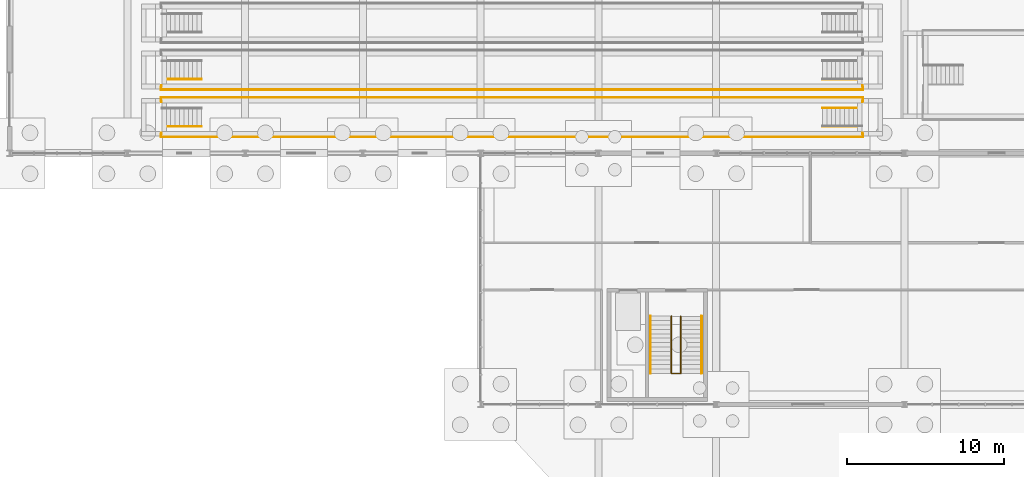
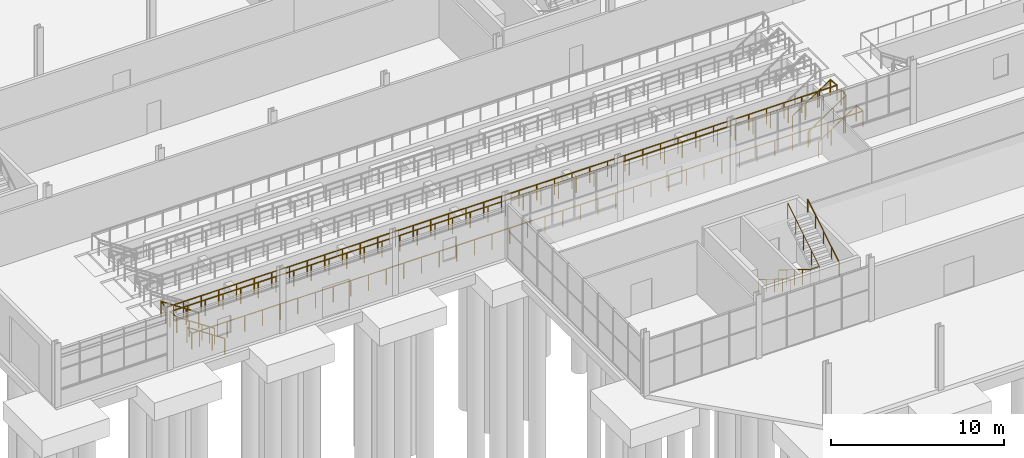
# One storey, part 131 of 136: 6 railings.
"""IFC4 building model written with IfcOpenShell, lengths in metres."""

from ifc_helpers import new_model, si_unit, direction, frame, origin, origin_2d, place, context, subcontext, project, spatial, circle, extrude, material, type_object, element, save


model = new_model("IFC4")

# Units and contexts
model_context = context("Model", 3, precision=1e-05, world=origin(), true_north=direction((0.0, 1.0)))
body_context = subcontext(model_context, "Body", "Model", "MODEL_VIEW")
ifc_project = project(units=[si_unit("LENGTHUNIT", "METRE"), si_unit("AREAUNIT", "SQUARE_METRE"), si_unit("VOLUMEUNIT", "CUBIC_METRE"), si_unit("PLANEANGLEUNIT", "RADIAN"), si_unit("MASSUNIT", "GRAM", prefix="KILO")], contexts=[model_context])

# Site, building, storey
site_placement = place(None, origin())
site = spatial("IfcSite", under=ifc_project, at=site_placement, CompositionType="ELEMENT")
building_placement = place(site_placement, origin())
building = spatial("IfcBuilding", under=site, at=building_placement, Name="Solvenia Promenade Tram Depot", CompositionType="ELEMENT")
storey_placement = place(building_placement, origin())
storey = spatial("IfcBuildingStorey", under=building, at=storey_placement, Name="L00", CompositionType="ELEMENT", Elevation=0.0)

# Railings
ifc_material_1 = material(Name="Galvanized painted sheet steel", Category="steel")
railing_type_1 = type_object("IfcRailingType", Name="Guard-Pit-1100", PredefinedType="GUARDRAIL", material=ifc_material_1)
railing_1_placement = place(storey_placement, frame((117.219970703125, 25.7099609375, -1.675048828125)))
element("IfcRailing", 1, at=railing_1_placement, inside=storey, type_object=railing_type_1, Name="Inspection Pit Bay 1 South Perimeter and Flight Safety Guard", PredefinedType="GUARDRAIL", context=body_context, shape_type="SweptSolid", body=[
    extrude(circle(Radius=0.02392578125, at=origin_2d()), frame((0.0, 0.0, 1.09619140625), z_axis=(-0.832806695154, 0.0, 0.553563915467), x_axis=(0.0, -1.0, 0.0)), (0.0, 0.0, 1.0), 3.02587890625),
    extrude(circle(Radius=0.02392578125, at=origin_2d()), frame((-2.52001953125, 0.0, 2.77099609375), z_axis=(-0.089292037188, -0.996005487984, 0.0), x_axis=(0.996005487984, -0.089292037188, 0.0)), (0.0, 0.0, 1.0), 0.672607421875),
    extrude(circle(Radius=0.02392578125, at=origin_2d()), frame((-2.580078125, -0.669921875, 2.77099609375), z_axis=(1.0, 0.0, 0.0), x_axis=(0.0, 1.0, 0.0)), (0.0, 0.0, 1.0), 44.72021484375),
    extrude(circle(Radius=0.02392578125, at=origin_2d()), frame((42.14013671875, -0.669921875, 2.77099609375), z_axis=(-0.089292037188, 0.996005487984, 0.0), x_axis=(-0.996005487984, -0.089292037188, 0.0)), (0.0, 0.0, 1.0), 0.672607421875),
    extrude(circle(Radius=0.02392578125, at=origin_2d()), frame((42.080078125, 0.0, 2.77099609375), z_axis=(-0.832806695154, 0.0, -0.553563915467), x_axis=(0.0, -1.0, 0.0)), (0.0, 0.0, 1.0), 3.02587890625),
    extrude(circle(Radius=0.02099609375, at=origin_2d()), origin(), (0.0, 0.0, 1.0), 1.072021484375),
    extrude(circle(Radius=0.02099609375, at=origin_2d()), frame((-0.840087890625, 0.0, 0.558349609375)), (0.0, 0.0, 1.0), 1.072021484375),
    extrude(circle(Radius=0.02099609375, at=origin_2d()), frame((-1.679931640625, 0.0, 1.11669921875)), (0.0, 0.0, 1.0), 1.072021484375),
    extrude(circle(Radius=0.02099609375, at=origin_2d()), frame((-2.52001953125, 0.0, 1.675048828125)), (0.0, 0.0, 1.0), 1.072021484375),
    extrude(circle(Radius=0.02099609375, at=origin_2d()), frame((-2.580078125, -0.669921875, 1.675048828125)), (0.0, 0.0, 1.0), 1.072021484375),
    extrude(circle(Radius=0.02099609375, at=origin_2d()), frame((-1.4033203125, -0.669921875, 1.675048828125)), (0.0, 0.0, 1.0), 1.072021484375),
    extrude(circle(Radius=0.02099609375, at=origin_2d()), frame((-0.226318359375, -0.669921875, 1.675048828125)), (0.0, 0.0, 1.0), 1.072021484375),
    extrude(circle(Radius=0.02099609375, at=origin_2d()), frame((0.950439453125, -0.669921875, 1.675048828125)), (0.0, 0.0, 1.0), 1.072021484375),
    extrude(circle(Radius=0.02099609375, at=origin_2d()), frame((2.127197265625, -0.669921875, 1.675048828125)), (0.0, 0.0, 1.0), 1.072021484375),
    extrude(circle(Radius=0.02099609375, at=origin_2d()), frame((3.30419921875, -0.669921875, 1.675048828125)), (0.0, 0.0, 1.0), 1.072021484375),
    extrude(circle(Radius=0.02099609375, at=origin_2d()), frame((4.48095703125, -0.669921875, 1.675048828125)), (0.0, 0.0, 1.0), 1.072021484375),
    extrude(circle(Radius=0.02099609375, at=origin_2d()), frame((5.657958984375, -0.669921875, 1.675048828125)), (0.0, 0.0, 1.0), 1.072021484375),
    extrude(circle(Radius=0.02099609375, at=origin_2d()), frame((6.834716796875, -0.669921875, 1.675048828125)), (0.0, 0.0, 1.0), 1.072021484375),
    extrude(circle(Radius=0.02099609375, at=origin_2d()), frame((8.011474609375, -0.669921875, 1.675048828125)), (0.0, 0.0, 1.0), 1.072021484375),
    extrude(circle(Radius=0.02099609375, at=origin_2d()), frame((9.1884765625, -0.669921875, 1.675048828125)), (0.0, 0.0, 1.0), 1.072021484375),
    extrude(circle(Radius=0.02099609375, at=origin_2d()), frame((10.365234375, -0.669921875, 1.675048828125)), (0.0, 0.0, 1.0), 1.072021484375),
    extrude(circle(Radius=0.02099609375, at=origin_2d()), frame((11.5419921875, -0.669921875, 1.675048828125)), (0.0, 0.0, 1.0), 1.072021484375),
    extrude(circle(Radius=0.02099609375, at=origin_2d()), frame((12.718994140625, -0.669921875, 1.675048828125)), (0.0, 0.0, 1.0), 1.072021484375),
    extrude(circle(Radius=0.02099609375, at=origin_2d()), frame((13.895751953125, -0.669921875, 1.675048828125)), (0.0, 0.0, 1.0), 1.072021484375),
    extrude(circle(Radius=0.02099609375, at=origin_2d()), frame((15.07275390625, -0.669921875, 1.675048828125)), (0.0, 0.0, 1.0), 1.072021484375),
    extrude(circle(Radius=0.02099609375, at=origin_2d()), frame((16.24951171875, -0.669921875, 1.675048828125)), (0.0, 0.0, 1.0), 1.072021484375),
    extrude(circle(Radius=0.02099609375, at=origin_2d()), frame((17.42626953125, -0.669921875, 1.675048828125)), (0.0, 0.0, 1.0), 1.072021484375),
    extrude(circle(Radius=0.02099609375, at=origin_2d()), frame((18.603271484375, -0.669921875, 1.675048828125)), (0.0, 0.0, 1.0), 1.072021484375),
    extrude(circle(Radius=0.02099609375, at=origin_2d()), frame((19.780029296875, -0.669921875, 1.675048828125)), (0.0, 0.0, 1.0), 1.072021484375),
    extrude(circle(Radius=0.02099609375, at=origin_2d()), frame((20.956787109375, -0.669921875, 1.675048828125)), (0.0, 0.0, 1.0), 1.072021484375),
    extrude(circle(Radius=0.02099609375, at=origin_2d()), frame((22.1337890625, -0.669921875, 1.675048828125)), (0.0, 0.0, 1.0), 1.072021484375),
    extrude(circle(Radius=0.02099609375, at=origin_2d()), frame((23.310546875, -0.669921875, 1.675048828125)), (0.0, 0.0, 1.0), 1.072021484375),
    extrude(circle(Radius=0.02099609375, at=origin_2d()), frame((24.4873046875, -0.669921875, 1.675048828125)), (0.0, 0.0, 1.0), 1.072021484375),
    extrude(circle(Radius=0.02099609375, at=origin_2d()), frame((25.664306640625, -0.669921875, 1.675048828125)), (0.0, 0.0, 1.0), 1.072021484375),
    extrude(circle(Radius=0.02099609375, at=origin_2d()), frame((26.841064453125, -0.669921875, 1.675048828125)), (0.0, 0.0, 1.0), 1.072021484375),
    extrude(circle(Radius=0.02099609375, at=origin_2d()), frame((28.01806640625, -0.669921875, 1.675048828125)), (0.0, 0.0, 1.0), 1.072021484375),
    extrude(circle(Radius=0.02099609375, at=origin_2d()), frame((29.19482421875, -0.669921875, 1.675048828125)), (0.0, 0.0, 1.0), 1.072021484375),
    extrude(circle(Radius=0.02099609375, at=origin_2d()), frame((30.37158203125, -0.669921875, 1.675048828125)), (0.0, 0.0, 1.0), 1.072021484375),
    extrude(circle(Radius=0.02099609375, at=origin_2d()), frame((31.548583984375, -0.669921875, 1.675048828125)), (0.0, 0.0, 1.0), 1.072021484375),
    extrude(circle(Radius=0.02099609375, at=origin_2d()), frame((32.725341796875, -0.669921875, 1.675048828125)), (0.0, 0.0, 1.0), 1.072021484375),
    extrude(circle(Radius=0.02099609375, at=origin_2d()), frame((33.902099609375, -0.669921875, 1.675048828125)), (0.0, 0.0, 1.0), 1.072021484375),
    extrude(circle(Radius=0.02099609375, at=origin_2d()), frame((35.0791015625, -0.669921875, 1.675048828125)), (0.0, 0.0, 1.0), 1.072021484375),
    extrude(circle(Radius=0.02099609375, at=origin_2d()), frame((36.255859375, -0.669921875, 1.675048828125)), (0.0, 0.0, 1.0), 1.072021484375),
    extrude(circle(Radius=0.02099609375, at=origin_2d()), frame((37.432861328125, -0.669921875, 1.675048828125)), (0.0, 0.0, 1.0), 1.072021484375),
    extrude(circle(Radius=0.02099609375, at=origin_2d()), frame((38.609619140625, -0.669921875, 1.675048828125)), (0.0, 0.0, 1.0), 1.072021484375),
    extrude(circle(Radius=0.02099609375, at=origin_2d()), frame((39.786376953125, -0.669921875, 1.675048828125)), (0.0, 0.0, 1.0), 1.072021484375),
    extrude(circle(Radius=0.02099609375, at=origin_2d()), frame((40.96337890625, -0.669921875, 1.675048828125)), (0.0, 0.0, 1.0), 1.072021484375),
    extrude(circle(Radius=0.02099609375, at=origin_2d()), frame((42.14013671875, -0.669921875, 1.675048828125)), (0.0, 0.0, 1.0), 1.072021484375),
    extrude(circle(Radius=0.02099609375, at=origin_2d()), frame((42.080078125, 0.0, 1.675048828125)), (0.0, 0.0, 1.0), 1.072021484375),
    extrude(circle(Radius=0.02099609375, at=origin_2d()), frame((41.239990234375, 0.0, 1.11669921875)), (0.0, 0.0, 1.0), 1.072021484375),
    extrude(circle(Radius=0.02099609375, at=origin_2d()), frame((40.400146484375, 0.0, 0.558349609375)), (0.0, 0.0, 1.0), 1.072021484375),
    extrude(circle(Radius=0.02099609375, at=origin_2d()), frame((39.56005859375, 0.0, 0.0)), (0.0, 0.0, 1.0), 1.072021484375),
])
railing_2_placement = place(storey_placement, frame((117.219970703125, 26.889892578125, -1.675048828125)))
element("IfcRailing", 2, at=railing_2_placement, inside=storey, type_object=railing_type_1, Name="Inspection Pit Bay 1 North Perimeter and Flight Safety Guard", PredefinedType="GUARDRAIL", context=body_context, shape_type="SweptSolid", body=[
    extrude(circle(Radius=0.02392578125, at=origin_2d()), frame((0.0, 0.0, 1.09619140625), z_axis=(-0.832806695154, 0.0, 0.553563915467), x_axis=(0.0, -1.0, 0.0)), (0.0, 0.0, 1.0), 3.02587890625),
    extrude(circle(Radius=0.02392578125, at=origin_2d()), frame((-2.52001953125, 0.0, 2.77099609375), z_axis=(-0.089259767428, 0.996008380446, 0.0), x_axis=(-0.996008380446, -0.089259767428, 0.0)), (0.0, 0.0, 1.0), 0.6728515625),
    extrude(circle(Radius=0.02392578125, at=origin_2d()), frame((-2.580078125, 0.670166015625, 2.77099609375), z_axis=(1.0, 0.0, 0.0), x_axis=(0.0, 1.0, 0.0)), (0.0, 0.0, 1.0), 44.72021484375),
    extrude(circle(Radius=0.02392578125, at=origin_2d()), frame((42.14013671875, 0.670166015625, 2.77099609375), z_axis=(-0.089259767428, -0.996008380446, 0.0), x_axis=(0.996008380446, -0.089259767428, 0.0)), (0.0, 0.0, 1.0), 0.6728515625),
    extrude(circle(Radius=0.02392578125, at=origin_2d()), frame((42.080078125, 0.0, 2.77099609375), z_axis=(-0.832806695154, 0.0, -0.553563915467), x_axis=(0.0, -1.0, 0.0)), (0.0, 0.0, 1.0), 3.02587890625),
    extrude(circle(Radius=0.02099609375, at=origin_2d()), origin(), (0.0, 0.0, 1.0), 1.072021484375),
    extrude(circle(Radius=0.02099609375, at=origin_2d()), frame((-0.840087890625, 0.0, 0.558349609375)), (0.0, 0.0, 1.0), 1.072021484375),
    extrude(circle(Radius=0.02099609375, at=origin_2d()), frame((-1.679931640625, 0.0, 1.11669921875)), (0.0, 0.0, 1.0), 1.072021484375),
    extrude(circle(Radius=0.02099609375, at=origin_2d()), frame((-2.52001953125, 0.0, 1.675048828125)), (0.0, 0.0, 1.0), 1.072021484375),
    extrude(circle(Radius=0.02099609375, at=origin_2d()), frame((-2.580078125, 0.670166015625, 1.675048828125)), (0.0, 0.0, 1.0), 1.072021484375),
    extrude(circle(Radius=0.02099609375, at=origin_2d()), frame((-1.4033203125, 0.670166015625, 1.675048828125)), (0.0, 0.0, 1.0), 1.072021484375),
    extrude(circle(Radius=0.02099609375, at=origin_2d()), frame((-0.226318359375, 0.670166015625, 1.675048828125)), (0.0, 0.0, 1.0), 1.072021484375),
    extrude(circle(Radius=0.02099609375, at=origin_2d()), frame((0.950439453125, 0.670166015625, 1.675048828125)), (0.0, 0.0, 1.0), 1.072021484375),
    extrude(circle(Radius=0.02099609375, at=origin_2d()), frame((2.127197265625, 0.670166015625, 1.675048828125)), (0.0, 0.0, 1.0), 1.072021484375),
    extrude(circle(Radius=0.02099609375, at=origin_2d()), frame((3.30419921875, 0.670166015625, 1.675048828125)), (0.0, 0.0, 1.0), 1.072021484375),
    extrude(circle(Radius=0.02099609375, at=origin_2d()), frame((4.48095703125, 0.670166015625, 1.675048828125)), (0.0, 0.0, 1.0), 1.072021484375),
    extrude(circle(Radius=0.02099609375, at=origin_2d()), frame((5.657958984375, 0.670166015625, 1.675048828125)), (0.0, 0.0, 1.0), 1.072021484375),
    extrude(circle(Radius=0.02099609375, at=origin_2d()), frame((6.834716796875, 0.670166015625, 1.675048828125)), (0.0, 0.0, 1.0), 1.072021484375),
    extrude(circle(Radius=0.02099609375, at=origin_2d()), frame((8.011474609375, 0.670166015625, 1.675048828125)), (0.0, 0.0, 1.0), 1.072021484375),
    extrude(circle(Radius=0.02099609375, at=origin_2d()), frame((9.1884765625, 0.670166015625, 1.675048828125)), (0.0, 0.0, 1.0), 1.072021484375),
    extrude(circle(Radius=0.02099609375, at=origin_2d()), frame((10.365234375, 0.670166015625, 1.675048828125)), (0.0, 0.0, 1.0), 1.072021484375),
    extrude(circle(Radius=0.02099609375, at=origin_2d()), frame((11.5419921875, 0.670166015625, 1.675048828125)), (0.0, 0.0, 1.0), 1.072021484375),
    extrude(circle(Radius=0.02099609375, at=origin_2d()), frame((12.718994140625, 0.670166015625, 1.675048828125)), (0.0, 0.0, 1.0), 1.072021484375),
    extrude(circle(Radius=0.02099609375, at=origin_2d()), frame((13.895751953125, 0.670166015625, 1.675048828125)), (0.0, 0.0, 1.0), 1.072021484375),
    extrude(circle(Radius=0.02099609375, at=origin_2d()), frame((15.07275390625, 0.670166015625, 1.675048828125)), (0.0, 0.0, 1.0), 1.072021484375),
    extrude(circle(Radius=0.02099609375, at=origin_2d()), frame((16.24951171875, 0.670166015625, 1.675048828125)), (0.0, 0.0, 1.0), 1.072021484375),
    extrude(circle(Radius=0.02099609375, at=origin_2d()), frame((17.42626953125, 0.670166015625, 1.675048828125)), (0.0, 0.0, 1.0), 1.072021484375),
    extrude(circle(Radius=0.02099609375, at=origin_2d()), frame((18.603271484375, 0.670166015625, 1.675048828125)), (0.0, 0.0, 1.0), 1.072021484375),
    extrude(circle(Radius=0.02099609375, at=origin_2d()), frame((19.780029296875, 0.670166015625, 1.675048828125)), (0.0, 0.0, 1.0), 1.072021484375),
    extrude(circle(Radius=0.02099609375, at=origin_2d()), frame((20.956787109375, 0.670166015625, 1.675048828125)), (0.0, 0.0, 1.0), 1.072021484375),
    extrude(circle(Radius=0.02099609375, at=origin_2d()), frame((22.1337890625, 0.670166015625, 1.675048828125)), (0.0, 0.0, 1.0), 1.072021484375),
    extrude(circle(Radius=0.02099609375, at=origin_2d()), frame((23.310546875, 0.670166015625, 1.675048828125)), (0.0, 0.0, 1.0), 1.072021484375),
    extrude(circle(Radius=0.02099609375, at=origin_2d()), frame((24.4873046875, 0.670166015625, 1.675048828125)), (0.0, 0.0, 1.0), 1.072021484375),
    extrude(circle(Radius=0.02099609375, at=origin_2d()), frame((25.664306640625, 0.670166015625, 1.675048828125)), (0.0, 0.0, 1.0), 1.072021484375),
    extrude(circle(Radius=0.02099609375, at=origin_2d()), frame((26.841064453125, 0.670166015625, 1.675048828125)), (0.0, 0.0, 1.0), 1.072021484375),
    extrude(circle(Radius=0.02099609375, at=origin_2d()), frame((28.01806640625, 0.670166015625, 1.675048828125)), (0.0, 0.0, 1.0), 1.072021484375),
    extrude(circle(Radius=0.02099609375, at=origin_2d()), frame((29.19482421875, 0.670166015625, 1.675048828125)), (0.0, 0.0, 1.0), 1.072021484375),
    extrude(circle(Radius=0.02099609375, at=origin_2d()), frame((30.37158203125, 0.670166015625, 1.675048828125)), (0.0, 0.0, 1.0), 1.072021484375),
    extrude(circle(Radius=0.02099609375, at=origin_2d()), frame((31.548583984375, 0.670166015625, 1.675048828125)), (0.0, 0.0, 1.0), 1.072021484375),
    extrude(circle(Radius=0.02099609375, at=origin_2d()), frame((32.725341796875, 0.670166015625, 1.675048828125)), (0.0, 0.0, 1.0), 1.072021484375),
    extrude(circle(Radius=0.02099609375, at=origin_2d()), frame((33.902099609375, 0.670166015625, 1.675048828125)), (0.0, 0.0, 1.0), 1.072021484375),
    extrude(circle(Radius=0.02099609375, at=origin_2d()), frame((35.0791015625, 0.670166015625, 1.675048828125)), (0.0, 0.0, 1.0), 1.072021484375),
    extrude(circle(Radius=0.02099609375, at=origin_2d()), frame((36.255859375, 0.670166015625, 1.675048828125)), (0.0, 0.0, 1.0), 1.072021484375),
    extrude(circle(Radius=0.02099609375, at=origin_2d()), frame((37.432861328125, 0.670166015625, 1.675048828125)), (0.0, 0.0, 1.0), 1.072021484375),
    extrude(circle(Radius=0.02099609375, at=origin_2d()), frame((38.609619140625, 0.670166015625, 1.675048828125)), (0.0, 0.0, 1.0), 1.072021484375),
    extrude(circle(Radius=0.02099609375, at=origin_2d()), frame((39.786376953125, 0.670166015625, 1.675048828125)), (0.0, 0.0, 1.0), 1.072021484375),
    extrude(circle(Radius=0.02099609375, at=origin_2d()), frame((40.96337890625, 0.670166015625, 1.675048828125)), (0.0, 0.0, 1.0), 1.072021484375),
    extrude(circle(Radius=0.02099609375, at=origin_2d()), frame((42.14013671875, 0.670166015625, 1.675048828125)), (0.0, 0.0, 1.0), 1.072021484375),
    extrude(circle(Radius=0.02099609375, at=origin_2d()), frame((42.080078125, 0.0, 1.675048828125)), (0.0, 0.0, 1.0), 1.072021484375),
    extrude(circle(Radius=0.02099609375, at=origin_2d()), frame((41.239990234375, 0.0, 1.11669921875)), (0.0, 0.0, 1.0), 1.072021484375),
    extrude(circle(Radius=0.02099609375, at=origin_2d()), frame((40.400146484375, 0.0, 0.558349609375)), (0.0, 0.0, 1.0), 1.072021484375),
    extrude(circle(Radius=0.02099609375, at=origin_2d()), frame((39.56005859375, 0.0, 0.0)), (0.0, 0.0, 1.0), 1.072021484375),
])
railing_3_placement = place(storey_placement, frame((117.219970703125, 28.7099609375, -1.675048828125)))
element("IfcRailing", 3, at=railing_3_placement, inside=storey, type_object=railing_type_1, Name="Inspection Pit Bay 2 South Perimeter and Flight Safety Guard", PredefinedType="GUARDRAIL", context=body_context, shape_type="SweptSolid", body=[
    extrude(circle(Radius=0.02392578125, at=origin_2d()), frame((0.0, 0.0, 1.09619140625), z_axis=(-0.832806695154, 0.0, 0.553563915467), x_axis=(0.0, -1.0, 0.0)), (0.0, 0.0, 1.0), 3.02587890625),
    extrude(circle(Radius=0.02392578125, at=origin_2d()), frame((-2.52001953125, 0.0, 2.77099609375), z_axis=(-0.089292037188, -0.996005487984, 0.0), x_axis=(0.996005487984, -0.089292037188, 0.0)), (0.0, 0.0, 1.0), 0.672607421875),
    extrude(circle(Radius=0.02392578125, at=origin_2d()), frame((-2.580078125, -0.669921875, 2.77099609375), z_axis=(1.0, 0.0, 0.0), x_axis=(0.0, 1.0, 0.0)), (0.0, 0.0, 1.0), 44.72021484375),
    extrude(circle(Radius=0.02392578125, at=origin_2d()), frame((42.14013671875, -0.669921875, 2.77099609375), z_axis=(-0.089292037188, 0.996005487984, 0.0), x_axis=(-0.996005487984, -0.089292037188, 0.0)), (0.0, 0.0, 1.0), 0.672607421875),
    extrude(circle(Radius=0.02392578125, at=origin_2d()), frame((42.080078125, 0.0, 2.77099609375), z_axis=(-0.832806695154, 0.0, -0.553563915467), x_axis=(0.0, -1.0, 0.0)), (0.0, 0.0, 1.0), 3.02587890625),
    extrude(circle(Radius=0.02099609375, at=origin_2d()), origin(), (0.0, 0.0, 1.0), 1.072021484375),
    extrude(circle(Radius=0.02099609375, at=origin_2d()), frame((-0.840087890625, 0.0, 0.558349609375)), (0.0, 0.0, 1.0), 1.072021484375),
    extrude(circle(Radius=0.02099609375, at=origin_2d()), frame((-1.679931640625, 0.0, 1.11669921875)), (0.0, 0.0, 1.0), 1.072021484375),
    extrude(circle(Radius=0.02099609375, at=origin_2d()), frame((-2.52001953125, 0.0, 1.675048828125)), (0.0, 0.0, 1.0), 1.072021484375),
    extrude(circle(Radius=0.02099609375, at=origin_2d()), frame((-2.580078125, -0.669921875, 1.675048828125)), (0.0, 0.0, 1.0), 1.072021484375),
    extrude(circle(Radius=0.02099609375, at=origin_2d()), frame((-1.4033203125, -0.669921875, 1.675048828125)), (0.0, 0.0, 1.0), 1.072021484375),
    extrude(circle(Radius=0.02099609375, at=origin_2d()), frame((-0.226318359375, -0.669921875, 1.675048828125)), (0.0, 0.0, 1.0), 1.072021484375),
    extrude(circle(Radius=0.02099609375, at=origin_2d()), frame((0.950439453125, -0.669921875, 1.675048828125)), (0.0, 0.0, 1.0), 1.072021484375),
    extrude(circle(Radius=0.02099609375, at=origin_2d()), frame((2.127197265625, -0.669921875, 1.675048828125)), (0.0, 0.0, 1.0), 1.072021484375),
    extrude(circle(Radius=0.02099609375, at=origin_2d()), frame((3.30419921875, -0.669921875, 1.675048828125)), (0.0, 0.0, 1.0), 1.072021484375),
    extrude(circle(Radius=0.02099609375, at=origin_2d()), frame((4.48095703125, -0.669921875, 1.675048828125)), (0.0, 0.0, 1.0), 1.072021484375),
    extrude(circle(Radius=0.02099609375, at=origin_2d()), frame((5.657958984375, -0.669921875, 1.675048828125)), (0.0, 0.0, 1.0), 1.072021484375),
    extrude(circle(Radius=0.02099609375, at=origin_2d()), frame((6.834716796875, -0.669921875, 1.675048828125)), (0.0, 0.0, 1.0), 1.072021484375),
    extrude(circle(Radius=0.02099609375, at=origin_2d()), frame((8.011474609375, -0.669921875, 1.675048828125)), (0.0, 0.0, 1.0), 1.072021484375),
    extrude(circle(Radius=0.02099609375, at=origin_2d()), frame((9.1884765625, -0.669921875, 1.675048828125)), (0.0, 0.0, 1.0), 1.072021484375),
    extrude(circle(Radius=0.02099609375, at=origin_2d()), frame((10.365234375, -0.669921875, 1.675048828125)), (0.0, 0.0, 1.0), 1.072021484375),
    extrude(circle(Radius=0.02099609375, at=origin_2d()), frame((11.5419921875, -0.669921875, 1.675048828125)), (0.0, 0.0, 1.0), 1.072021484375),
    extrude(circle(Radius=0.02099609375, at=origin_2d()), frame((12.718994140625, -0.669921875, 1.675048828125)), (0.0, 0.0, 1.0), 1.072021484375),
    extrude(circle(Radius=0.02099609375, at=origin_2d()), frame((13.895751953125, -0.669921875, 1.675048828125)), (0.0, 0.0, 1.0), 1.072021484375),
    extrude(circle(Radius=0.02099609375, at=origin_2d()), frame((15.07275390625, -0.669921875, 1.675048828125)), (0.0, 0.0, 1.0), 1.072021484375),
    extrude(circle(Radius=0.02099609375, at=origin_2d()), frame((16.24951171875, -0.669921875, 1.675048828125)), (0.0, 0.0, 1.0), 1.072021484375),
    extrude(circle(Radius=0.02099609375, at=origin_2d()), frame((17.42626953125, -0.669921875, 1.675048828125)), (0.0, 0.0, 1.0), 1.072021484375),
    extrude(circle(Radius=0.02099609375, at=origin_2d()), frame((18.603271484375, -0.669921875, 1.675048828125)), (0.0, 0.0, 1.0), 1.072021484375),
    extrude(circle(Radius=0.02099609375, at=origin_2d()), frame((19.780029296875, -0.669921875, 1.675048828125)), (0.0, 0.0, 1.0), 1.072021484375),
    extrude(circle(Radius=0.02099609375, at=origin_2d()), frame((20.956787109375, -0.669921875, 1.675048828125)), (0.0, 0.0, 1.0), 1.072021484375),
    extrude(circle(Radius=0.02099609375, at=origin_2d()), frame((22.1337890625, -0.669921875, 1.675048828125)), (0.0, 0.0, 1.0), 1.072021484375),
    extrude(circle(Radius=0.02099609375, at=origin_2d()), frame((23.310546875, -0.669921875, 1.675048828125)), (0.0, 0.0, 1.0), 1.072021484375),
    extrude(circle(Radius=0.02099609375, at=origin_2d()), frame((24.4873046875, -0.669921875, 1.675048828125)), (0.0, 0.0, 1.0), 1.072021484375),
    extrude(circle(Radius=0.02099609375, at=origin_2d()), frame((25.664306640625, -0.669921875, 1.675048828125)), (0.0, 0.0, 1.0), 1.072021484375),
    extrude(circle(Radius=0.02099609375, at=origin_2d()), frame((26.841064453125, -0.669921875, 1.675048828125)), (0.0, 0.0, 1.0), 1.072021484375),
    extrude(circle(Radius=0.02099609375, at=origin_2d()), frame((28.01806640625, -0.669921875, 1.675048828125)), (0.0, 0.0, 1.0), 1.072021484375),
    extrude(circle(Radius=0.02099609375, at=origin_2d()), frame((29.19482421875, -0.669921875, 1.675048828125)), (0.0, 0.0, 1.0), 1.072021484375),
    extrude(circle(Radius=0.02099609375, at=origin_2d()), frame((30.37158203125, -0.669921875, 1.675048828125)), (0.0, 0.0, 1.0), 1.072021484375),
    extrude(circle(Radius=0.02099609375, at=origin_2d()), frame((31.548583984375, -0.669921875, 1.675048828125)), (0.0, 0.0, 1.0), 1.072021484375),
    extrude(circle(Radius=0.02099609375, at=origin_2d()), frame((32.725341796875, -0.669921875, 1.675048828125)), (0.0, 0.0, 1.0), 1.072021484375),
    extrude(circle(Radius=0.02099609375, at=origin_2d()), frame((33.902099609375, -0.669921875, 1.675048828125)), (0.0, 0.0, 1.0), 1.072021484375),
    extrude(circle(Radius=0.02099609375, at=origin_2d()), frame((35.0791015625, -0.669921875, 1.675048828125)), (0.0, 0.0, 1.0), 1.072021484375),
    extrude(circle(Radius=0.02099609375, at=origin_2d()), frame((36.255859375, -0.669921875, 1.675048828125)), (0.0, 0.0, 1.0), 1.072021484375),
    extrude(circle(Radius=0.02099609375, at=origin_2d()), frame((37.432861328125, -0.669921875, 1.675048828125)), (0.0, 0.0, 1.0), 1.072021484375),
    extrude(circle(Radius=0.02099609375, at=origin_2d()), frame((38.609619140625, -0.669921875, 1.675048828125)), (0.0, 0.0, 1.0), 1.072021484375),
    extrude(circle(Radius=0.02099609375, at=origin_2d()), frame((39.786376953125, -0.669921875, 1.675048828125)), (0.0, 0.0, 1.0), 1.072021484375),
    extrude(circle(Radius=0.02099609375, at=origin_2d()), frame((40.96337890625, -0.669921875, 1.675048828125)), (0.0, 0.0, 1.0), 1.072021484375),
    extrude(circle(Radius=0.02099609375, at=origin_2d()), frame((42.14013671875, -0.669921875, 1.675048828125)), (0.0, 0.0, 1.0), 1.072021484375),
    extrude(circle(Radius=0.02099609375, at=origin_2d()), frame((42.080078125, 0.0, 1.675048828125)), (0.0, 0.0, 1.0), 1.072021484375),
    extrude(circle(Radius=0.02099609375, at=origin_2d()), frame((41.239990234375, 0.0, 1.11669921875)), (0.0, 0.0, 1.0), 1.072021484375),
    extrude(circle(Radius=0.02099609375, at=origin_2d()), frame((40.400146484375, 0.0, 0.558349609375)), (0.0, 0.0, 1.0), 1.072021484375),
    extrude(circle(Radius=0.02099609375, at=origin_2d()), frame((39.56005859375, 0.0, 0.0)), (0.0, 0.0, 1.0), 1.072021484375),
])
ifc_material_2 = material(Name="Anodized aluminium AW-6063 T6", Category="aluminium")
railing_type_2 = type_object("IfcRailingType", Name="Guard-Stair-1100", PredefinedType="GUARDRAIL", material=ifc_material_2)
railing_4_placement = place(storey_placement, frame((147.14990234375, 13.6201171875, 0.0)))
element("IfcRailing", 4, at=railing_4_placement, inside=storey, type_object=railing_type_2, Name="Stair Inner Well Guard ST-08-L00", PredefinedType="GUARDRAIL", context=body_context, shape_type="SweptSolid", body=[
    extrude(circle(Radius=0.02392578125, at=origin_2d()), frame((0.0, 0.0, 1.09619140625), z_axis=(0.0, -0.850622404505, 0.525777067734), x_axis=(1.0, 0.0, 0.0)), (0.0, 0.0, 1.0), 4.279296875),
    extrude(circle(Radius=0.02392578125, at=origin_2d()), frame((0.0, -3.64013671875, 3.34619140625), z_axis=(1.0, 0.0, 0.0), x_axis=(0.0, 1.0, 0.0)), (0.0, 0.0, 1.0), 0.60009765625),
    extrude(circle(Radius=0.02392578125, at=origin_2d()), frame((0.60009765625, -3.64013671875, 3.34619140625), z_axis=(0.0, 0.850622404505, 0.525777067734), x_axis=(-1.0, 0.0, 0.0)), (0.0, 0.0, 1.0), 4.279296875),
    extrude(circle(Radius=0.02099609375, at=origin_2d()), origin(), (0.0, 0.0, 1.0), 1.072021484375),
    extrude(circle(Radius=0.02099609375, at=origin_2d()), frame((0.0, -0.91015625, 0.5625)), (0.0, 0.0, 1.0), 1.072021484375),
    extrude(circle(Radius=0.02099609375, at=origin_2d()), frame((0.0, -1.820068359375, 1.125)), (0.0, 0.0, 1.0), 1.072021484375),
    extrude(circle(Radius=0.02099609375, at=origin_2d()), frame((0.0, -2.72998046875, 1.6875)), (0.0, 0.0, 1.0), 1.072021484375),
    extrude(circle(Radius=0.02099609375, at=origin_2d()), frame((0.0, -3.64013671875, 2.25)), (0.0, 0.0, 1.0), 1.072021484375),
    extrude(circle(Radius=0.02099609375, at=origin_2d()), frame((0.60009765625, -3.64013671875, 2.25)), (0.0, 0.0, 1.0), 1.072021484375),
    extrude(circle(Radius=0.02099609375, at=origin_2d()), frame((0.60009765625, -2.72998046875, 2.8125)), (0.0, 0.0, 1.0), 1.072021484375),
    extrude(circle(Radius=0.02099609375, at=origin_2d()), frame((0.60009765625, -1.820068359375, 3.375)), (0.0, 0.0, 1.0), 1.072021484375),
    extrude(circle(Radius=0.02099609375, at=origin_2d()), frame((0.60009765625, -0.91015625, 3.9375)), (0.0, 0.0, 1.0), 1.072021484375),
    extrude(circle(Radius=0.02099609375, at=origin_2d()), frame((0.60009765625, 0.0, 4.5)), (0.0, 0.0, 1.0), 1.072021484375),
])
railing_type_3 = type_object("IfcRailingType", Name="Handrail-Stair-920", PredefinedType="HANDRAIL", material=ifc_material_2)
railing_5_placement = place(storey_placement, frame((145.820068359375, 13.6201171875, 0.0)))
element("IfcRailing", 5, at=railing_5_placement, inside=storey, type_object=railing_type_3, Name="Stair Wall Handrail ST-08-L00-F1", PredefinedType="HANDRAIL", context=body_context, shape_type="SweptSolid", body=[
    extrude(circle(Radius=0.02392578125, at=origin_2d()), frame((0.0, 0.0, 0.89599609375), z_axis=(0.0, -0.850622404505, 0.525777067734), x_axis=(1.0, 0.0, 0.0)), (0.0, 0.0, 1.0), 4.279296875),
    extrude(circle(Radius=0.02099609375, at=origin_2d()), origin(), (0.0, 0.0, 1.0), 0.871826171875),
    extrude(circle(Radius=0.02099609375, at=origin_2d()), frame((0.0, -0.91015625, 0.5625)), (0.0, 0.0, 1.0), 0.871826171875),
    extrude(circle(Radius=0.02099609375, at=origin_2d()), frame((0.0, -1.820068359375, 1.125)), (0.0, 0.0, 1.0), 0.871826171875),
    extrude(circle(Radius=0.02099609375, at=origin_2d()), frame((0.0, -2.72998046875, 1.6875)), (0.0, 0.0, 1.0), 0.871826171875),
    extrude(circle(Radius=0.02099609375, at=origin_2d()), frame((0.0, -3.64013671875, 2.25)), (0.0, 0.0, 1.0), 0.871826171875),
])
railing_6_placement = place(storey_placement, frame((149.080078125, 9.97998046875, 2.25)))
element("IfcRailing", 6, at=railing_6_placement, inside=storey, type_object=railing_type_3, Name="Stair Wall Handrail ST-08-L00-F2", PredefinedType="HANDRAIL", context=body_context, shape_type="SweptSolid", body=[
    extrude(circle(Radius=0.02392578125, at=origin_2d()), frame((0.0, 0.0, 0.89599609375), z_axis=(0.0, 0.850622404505, 0.525777067734), x_axis=(-1.0, 0.0, 0.0)), (0.0, 0.0, 1.0), 4.279296875),
    extrude(circle(Radius=0.02099609375, at=origin_2d()), origin(), (0.0, 0.0, 1.0), 0.871826171875),
    extrude(circle(Radius=0.02099609375, at=origin_2d()), frame((0.0, 0.91015625, 0.5625)), (0.0, 0.0, 1.0), 0.871826171875),
    extrude(circle(Radius=0.02099609375, at=origin_2d()), frame((0.0, 1.820068359375, 1.125)), (0.0, 0.0, 1.0), 0.871826171875),
    extrude(circle(Radius=0.02099609375, at=origin_2d()), frame((0.0, 2.72998046875, 1.6875)), (0.0, 0.0, 1.0), 0.871826171875),
    extrude(circle(Radius=0.02099609375, at=origin_2d()), frame((0.0, 3.64013671875, 2.25)), (0.0, 0.0, 1.0), 0.871826171875),
])

save(model, "model.ifc")
